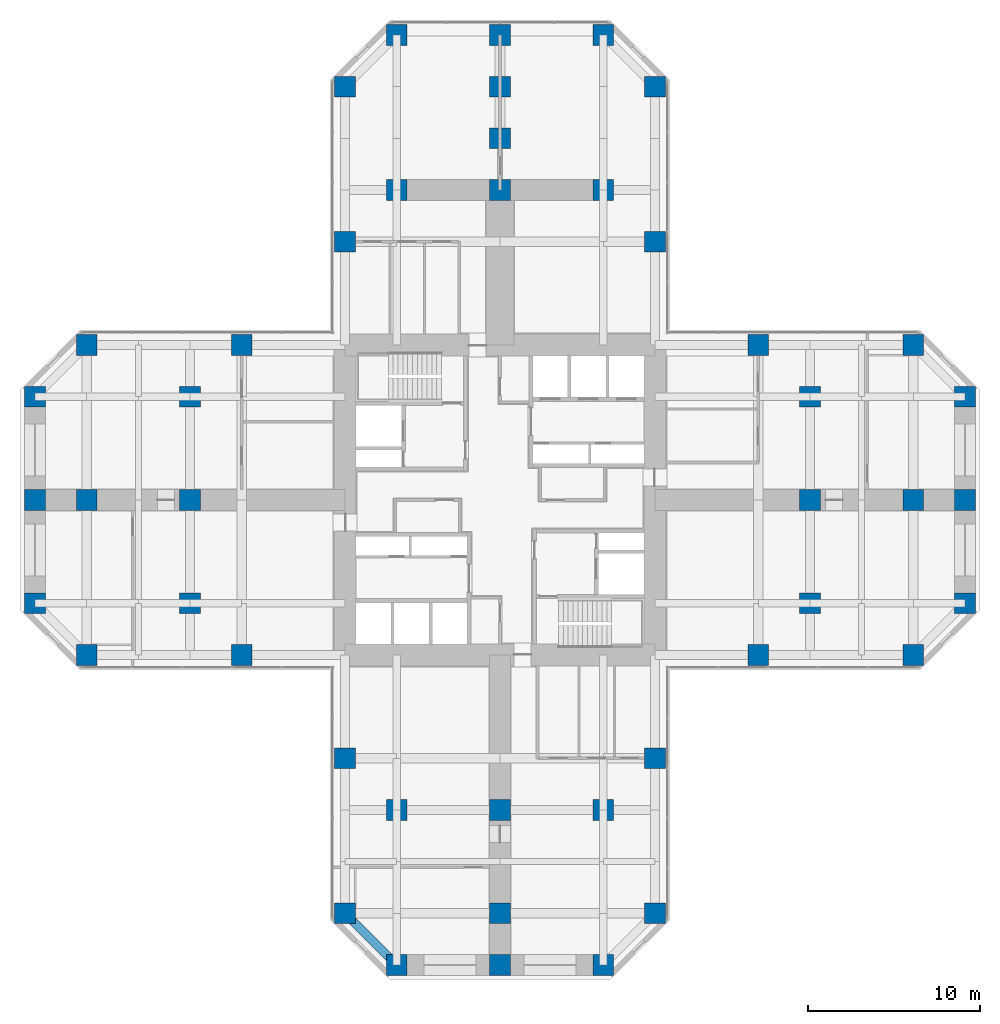
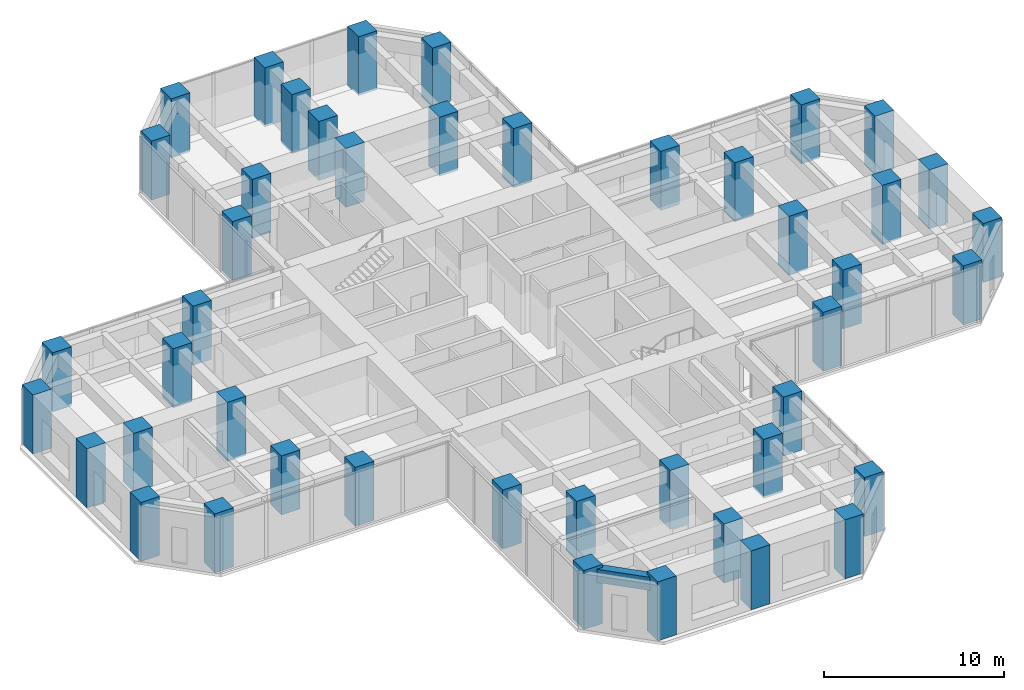
# One storey, part 1 of 12: 45 columns, 1 beam.
"""IFC4 building model written with IfcOpenShell, lengths in metres."""

from ifc_helpers import new_model, si_unit, direction, frame, origin, origin_2d, place, context, subcontext, project, spatial, rectangle, extrude, material, material_profile, profile_set, type_object, element, save


model = new_model("IFC4")

# Units and contexts
model_context = context("Model", 3, precision=1e-05, world=origin(), true_north=direction((0.0, 1.0)))
body_context = subcontext(model_context, "Body", "Model", "MODEL_VIEW")
ifc_project = project(units=[si_unit("LENGTHUNIT", "METRE"), si_unit("AREAUNIT", "SQUARE_METRE"), si_unit("VOLUMEUNIT", "CUBIC_METRE"), si_unit("PLANEANGLEUNIT", "RADIAN"), si_unit("MASSUNIT", "GRAM", prefix="KILO")], contexts=[model_context])

# Site, building, storey
site_placement = place(None, origin())
site = spatial("IfcSite", under=ifc_project, at=site_placement, CompositionType="ELEMENT")
building_placement = place(site_placement, origin())
building = spatial("IfcBuilding", under=site, at=building_placement, Name="Torre Cruceta", CompositionType="ELEMENT")
storey_placement = place(building_placement, frame((0.0, 0.0, 59.5)))
storey = spatial("IfcBuildingStorey", under=building, at=storey_placement, Name="L14", CompositionType="ELEMENT", Elevation=59.5)

# Columns
ifc_material_1 = material(Name="Concrete G60 (fck 60 MPa)", Category="concrete")
ifc_material_profile_1 = material_profile(ifc_material_1, rectangle(XDim=1.199951171875, YDim=1.199951171875, at=origin_2d()), Name="RC 1200X1200")
ifc_profile_set_1 = profile_set([ifc_material_profile_1], Name="Concrete G60 (fck 60 MPa)")
column_type = type_object("IfcColumnType", Name="COLUMN RC 1200X1200", PredefinedType="COLUMN", material=ifc_profile_set_1)
for number, where, z_axis, x_axis, name in (
    (1, (9.0, 15.0, 0.0), (0.0, 0.0, 1.0), (1.0, 0.0, 0.0), "C3 L14 N side"),
    (2, (9.0, 24.0, 0.0), (0.0, 0.0, 1.0), (1.0, 0.0, 0.0), "C3 L14 N chamfer"),
    (3, (-9.0, 15.0, 0.0), (0.0, 0.0, 1.0), (1.0, 0.0, 0.0), "C3 L14 N side"),
    (4, (-9.0, 24.0, 0.0), (0.0, 0.0, 1.0), (1.0, 0.0, 0.0), "C3 L14 N chamfer"),
    (5, (6.0, 27.0, 0.0), (0.0, 0.0, 1.0), (1.0, 0.0, 0.0), "C3 L14 N tip"),
    (6, (0.0, 27.0, 0.0), (0.0, 0.0, 1.0), (1.0, 0.0, 0.0), "C3 L14 N tip"),
    (7, (-6.0, 27.0, 0.0), (0.0, 0.0, 1.0), (1.0, 0.0, 0.0), "C3 L14 N tip"),
    (8, (15.0, -9.0, 0.0), (0.0, 0.0, 1.0), (1.0, 0.0, 0.0), "C3 L14 E side"),
    (9, (24.0, -9.0, 0.0), (0.0, 0.0, 1.0), (1.0, 0.0, 0.0), "C3 L14 E chamfer"),
    (10, (15.0, 9.0, 0.0), (0.0, 0.0, 1.0), (1.0, 0.0, 0.0), "C3 L14 E side"),
    (11, (24.0, 9.0, 0.0), (0.0, 0.0, 1.0), (1.0, 0.0, 0.0), "C3 L14 E chamfer"),
    (12, (27.0, -6.0, 0.0), (0.0, 0.0, 1.0), (1.0, 0.0, 0.0), "C3 L14 E tip"),
    (13, (27.0, 0.0, 0.0), (0.0, 0.0, 1.0), (1.0, 0.0, 0.0), "C3 L14 E tip"),
    (14, (27.0, 6.0, 0.0), (0.0, 0.0, 1.0), (1.0, 0.0, 0.0), "C3 L14 E tip"),
    (15, (-9.0, -15.0, 0.0), (0.0, 0.0, 1.0), (1.0, 0.0, 0.0), "C3 L14 S side"),
    (16, (-9.0, -24.0, 0.0), (0.0, 0.0, 1.0), (1.0, 0.0, 0.0), "C3 L14 S chamfer"),
    (17, (9.0, -15.0, 0.0), (0.0, 0.0, 1.0), (1.0, 0.0, 0.0), "C3 L14 S side"),
    (18, (9.0, -24.0, 0.0), (0.0, 0.0, 1.0), (1.0, 0.0, 0.0), "C3 L14 S chamfer"),
    (19, (-6.0, -27.0, 0.0), (0.0, 0.0, 1.0), (1.0, 0.0, 0.0), "C3 L14 S tip"),
    (20, (0.0, -27.0, 0.0), (0.0, 0.0, 1.0), (1.0, 0.0, 0.0), "C3 L14 S tip"),
    (21, (6.0, -27.0, 0.0), (0.0, 0.0, 1.0), (1.0, 0.0, 0.0), "C3 L14 S tip"),
    (22, (-15.0, 9.0, 0.0), (0.0, 0.0, 1.0), (1.0, 0.0, 0.0), "C3 L14 W side"),
    (23, (-24.0, 9.0, 0.0), (0.0, 0.0, 1.0), (1.0, 0.0, 0.0), "C3 L14 W chamfer"),
    (24, (-15.0, -9.0, 0.0), (0.0, 0.0, 1.0), (1.0, 0.0, 0.0), "C3 L14 W side"),
    (25, (-24.0, -9.0, 0.0), (0.0, 0.0, 1.0), (1.0, 0.0, 0.0), "C3 L14 W chamfer"),
    (26, (-27.0, 6.0, 0.0), (0.0, 0.0, 1.0), (1.0, 0.0, 0.0), "C3 L14 W tip"),
    (27, (-27.0, 0.0, 0.0), (0.0, 0.0, 1.0), (1.0, 0.0, 0.0), "C3 L14 W tip"),
    (28, (-27.0, -6.0, 0.0), (0.0, 0.0, 1.0), (1.0, 0.0, 0.0), "C3 L14 W tip"),
    (29, (6.0, 18.0, 0.0), (0.0, 0.0, 1.0), (1.0, 0.0, 0.0), "C3 L14 N interior"),
    (30, (0.0, 18.0, 0.0), (0.0, 0.0, 1.0), (1.0, 0.0, 0.0), "C3 L14 N interior"),
    (31, (-6.0, 18.0, 0.0), (0.0, 0.0, 1.0), (1.0, 0.0, 0.0), "C3 L14 N interior"),
    (32, (0.0, 21.0, 0.0), (0.0, 0.0, 1.0), (1.0, 0.0, 0.0), "C3 L14 N interior"),
    (33, (0.0, 24.0, 0.0), (0.0, 0.0, 1.0), (1.0, 0.0, 0.0), "C3 L14 N interior"),
    (34, (18.0, -6.0, 0.0), (0.0, 0.0, 1.0), (1.0, 0.0, 0.0), "C3 L14 E interior"),
    (35, (18.0, 0.0, 0.0), (0.0, 0.0, 1.0), (1.0, 0.0, 0.0), "C3 L14 E interior"),
    (36, (18.0, 6.0, 0.0), (0.0, 0.0, 1.0), (1.0, 0.0, 0.0), "C3 L14 E interior"),
    (37, (24.0, 0.0, 0.0), (0.0, 0.0, 1.0), (1.0, 0.0, 0.0), "C3 L14 E interior"),
    (38, (-6.0, -18.0, 0.0), (0.0, 0.0, 1.0), (1.0, 0.0, 0.0), "C3 L14 S interior"),
    (39, (0.0, -18.0, 0.0), (0.0, 0.0, 1.0), (1.0, 0.0, 0.0), "C3 L14 S interior"),
    (40, (6.0, -18.0, 0.0), (0.0, 0.0, 1.0), (1.0, 0.0, 0.0), "C3 L14 S interior"),
    (41, (0.0, -24.0, 0.0), (0.0, 0.0, 1.0), (1.0, 0.0, 0.0), "C3 L14 S interior"),
    (42, (-18.0, 6.0, 0.0), (0.0, 0.0, 1.0), (1.0, 0.0, 0.0), "C3 L14 W interior"),
    (43, (-18.0, 0.0, 0.0), (0.0, 0.0, 1.0), (1.0, 0.0, 0.0), "C3 L14 W interior"),
    (44, (-18.0, -6.0, 0.0), (0.0, 0.0, 1.0), (1.0, 0.0, 0.0), "C3 L14 W interior"),
    (45, (-24.0, 0.0, 0.0), (0.0, 0.0, 1.0), (1.0, 0.0, 0.0), "C3 L14 W interior"),
):
    element("IfcColumn", number, at=place(storey_placement, frame(where, z_axis=z_axis, x_axis=x_axis)), inside=storey, type_object=column_type, Name=name, PredefinedType="COLUMN", context=body_context, shape_type="SweptSolid", body=[
        extrude(rectangle(XDim=1.199951171875, YDim=1.199951171875, at=origin_2d()), origin(), (0.0, 0.0, 1.0), 4.0),
    ])

# Beam
ifc_material_2 = material(Name="Concrete G60 (fck 60 MPa)", Category="concrete")
ifc_material_profile_2 = material_profile(ifc_material_2, rectangle(XDim=0.5, YDim=0.89990234375, at=origin_2d()), Name="RC 500X900")
ifc_profile_set_2 = profile_set([ifc_material_profile_2], Name="Concrete G60 (fck 60 MPa)")
beam_type = type_object("IfcBeamType", Name="SPANDREL BEAM RC 500X900", PredefinedType="SPANDREL", material=ifc_profile_set_2)
beam_placement = place(storey_placement, frame((-9.0, -24.0, 3.35009765625), z_axis=(0.707106781187, -0.707106781187, 0.0), x_axis=(0.707106781187, 0.707106781187, 0.0)))
element("IfcBeam", 46, at=beam_placement, inside=storey, type_object=beam_type, Name="SB4 L14 S side- 5", PredefinedType="SPANDREL", context=body_context, shape_type="SweptSolid", body=[
    extrude(rectangle(XDim=0.5, YDim=0.89990234375, at=origin_2d()), origin(), (0.0, 0.0, 1.0), 4.24267578125),
])

save(model, "model.ifc")
